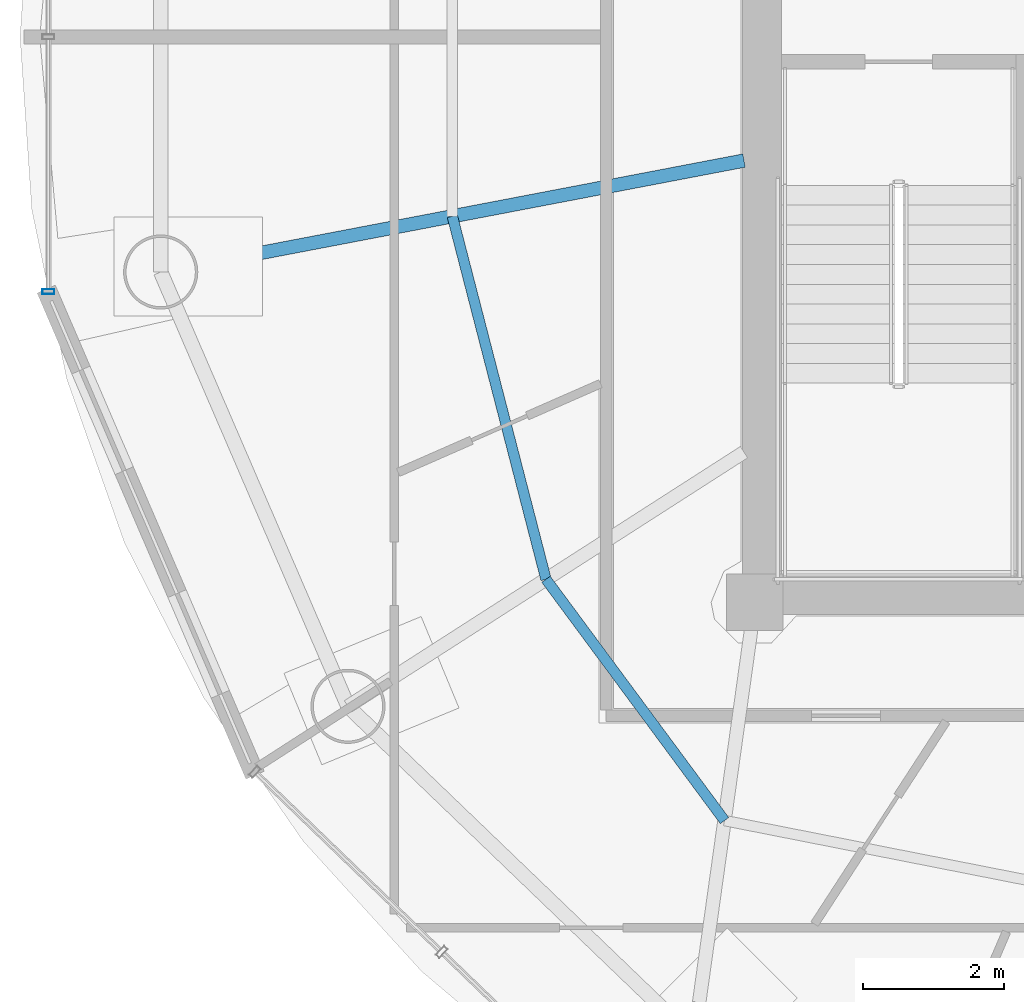
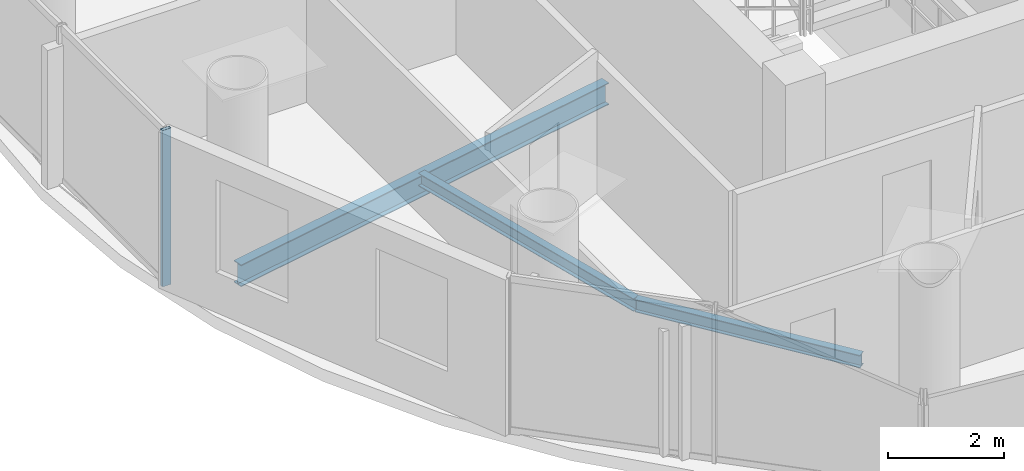
# One storey, part 4 of 23: 3 beams, 1 member, 1 element without a shape of its own.
"""IFC4 building model written with IfcOpenShell, lengths in metres."""

from ifc_helpers import new_model, si_unit, direction, frame, origin, origin_2d, place, context, subcontext, project, spatial, hollow_rectangle, i_section, extrude, source, transform, mapped, material, material_profile, profile_set, type_object, element, aggregate, save


model = new_model("IFC4")

# Units and contexts
model_context = context("Model", 3, precision=1e-05, world=origin(), true_north=direction((-0.2419218956, 0.970295726276)))
body_context = subcontext(model_context, "Body", "Model", "MODEL_VIEW")
ifc_project = project(units=[si_unit("LENGTHUNIT", "METRE"), si_unit("AREAUNIT", "SQUARE_METRE"), si_unit("VOLUMEUNIT", "CUBIC_METRE"), si_unit("PLANEANGLEUNIT", "RADIAN"), si_unit("MASSUNIT", "GRAM", prefix="KILO")], contexts=[model_context])

# Site, building, storey
site_placement = place(None, origin())
site = spatial("IfcSite", under=ifc_project, at=site_placement, CompositionType="ELEMENT")
building_placement = place(site_placement, origin())
building = spatial("IfcBuilding", under=site, at=building_placement, Name="Cobrevalo Terracotta Tower", CompositionType="ELEMENT")
storey_placement = place(building_placement, frame((0.0, 0.0, 296.949951171875)))
storey = spatial("IfcBuildingStorey", under=building, at=storey_placement, Name="L78", CompositionType="ELEMENT", Elevation=296.949951171875)

# Beams
ifc_material_1 = material(Name="Steel S355", Category="steel")
ifc_material_profile_1 = material_profile(ifc_material_1, i_section(OverallWidth=0.19091796875, OverallDepth=0.4599609375, WebThickness=0.010009765625, FlangeThickness=0.01611328125, at=origin_2d()), Name="W 460x82")
ifc_profile_set_1 = profile_set([ifc_material_profile_1], Name="Steel S355")
beam_type_1 = type_object("IfcBeamType", Name="Structural Beam W 460x82 (Steel S355)", PredefinedType="BEAM", material=ifc_profile_set_1)
beam_1_placement = place(storey_placement, frame((20.591064453125, 23.4736328125, -0.489990234375), z_axis=(0.982229562106, 0.187683476432, 0.0), x_axis=(-0.187683476432, 0.982229562106, 0.0)))
element("IfcBeam", 1, at=beam_1_placement, inside=storey, type_object=beam_type_1, Name="L78 radial floor girder 09", PredefinedType="BEAM", context=body_context, shape_type="SweptSolid", body=[
    extrude(i_section(OverallWidth=0.19091796875, OverallDepth=0.4599609375, WebThickness=0.010009765625, FlangeThickness=0.01611328125, at=origin_2d()), origin(), (0.0, 0.0, 1.0), 8.4033203125),
])
ifc_material_profile_2 = material_profile(ifc_material_1, i_section(OverallWidth=0.14794921875, OverallDepth=0.26611328125, WebThickness=0.007568359375, FlangeThickness=0.012939453125, at=origin_2d()), Name="W 250x44.8")
ifc_profile_set_2 = profile_set([ifc_material_profile_2], Name="Steel S355")
beam_type_2 = type_object("IfcBeamType", Name="Structural Joist W 250x44.8 (Steel S355)", PredefinedType="JOIST", material=ifc_profile_set_2)
beam_2_placement = place(storey_placement, frame((24.718017578125, 24.26220703125, -0.39306640625), z_axis=(0.249816773293, -0.968293126993, 0.0), x_axis=(0.968293126993, 0.249816773293, 0.0)))
element("IfcBeam", 2, at=beam_2_placement, inside=storey, type_object=beam_type_2, Name="L78 circumferential secondary floor joist 09", PredefinedType="JOIST", context=body_context, shape_type="SweptSolid", body=[
    extrude(i_section(OverallWidth=0.14794921875, OverallDepth=0.26611328125, WebThickness=0.007568359375, FlangeThickness=0.012939453125, at=origin_2d()), origin(), (0.0, 0.0, 1.0), 5.3046875),
])
beam_3_placement = place(storey_placement, frame((26.043212890625, 19.125732421875, -0.39306640625), z_axis=(0.594799916617, -0.803873783123, 0.0), x_axis=(0.803873783123, 0.594799916617, 0.0)))
element("IfcBeam", 3, at=beam_3_placement, inside=storey, type_object=beam_type_2, Name="L78 circumferential secondary floor joist 10", PredefinedType="JOIST", context=body_context, shape_type="SweptSolid", body=[
    extrude(i_section(OverallWidth=0.14794921875, OverallDepth=0.26611328125, WebThickness=0.007568359375, FlangeThickness=0.012939453125, at=origin_2d()), origin(), (0.0, 0.0, 1.0), 4.2470703125),
])

# Curtain wall, member
ifc_material_2 = material(Name="Anodized aluminium", Category="aluminium")
curtain_wall_type = type_object("IfcCurtainWallType", Name="Upper-tower triple-glazed penthouse curtain wall CW-U3", PredefinedType="NOTDEFINED", material=ifc_material_2)
curtain_wall_placement = place(storey_placement, origin())
curtain_wall = element("IfcCurtainWall", 4, at=curtain_wall_placement, inside=storey, type_object=curtain_wall_type, Name="L78 curtain wall CW-L78-S08", PredefinedType="NOTDEFINED")
ifc_material_profile_3 = material_profile(ifc_material_2, hollow_rectangle(XDim=0.070068359375, YDim=0.169921875, WallThickness=0.00439453125, at=origin_2d()), Name="CWM 70x170")
ifc_profile_set_3 = profile_set([ifc_material_profile_3], Name="Anodized aluminium")
member_type = type_object("IfcMemberType", Name="Upper tower unitised mullion 70x170", PredefinedType="MULLION", material=ifc_profile_set_3)
shared_shape = source(origin(), body_context, "Body", "SweptSolid", [
    extrude(hollow_rectangle(XDim=0.070068359375, YDim=0.169921875, WallThickness=0.00439453125, at=origin_2d()), origin(), (0.0, 0.0, 1.0), 3.300048828125),
])
member_placement = place(storey_placement, frame((19.002197265625, 23.19775390625, 0.0), z_axis=(0.0, 0.0, 1.0), x_axis=(0.0, -1.0, 0.0)))
member = element("IfcMember", 5, at=member_placement, type_object=member_type, Name="CW-L78-S08 vertical mullion 03", PredefinedType="MULLION", context=body_context, shape_type="MappedRepresentation", body=[
    mapped(shared_shape, transform((0.0, 0.0, 0.0), scale=1.0)),
])
aggregate(curtain_wall, [member])

save(model, "model.ifc")
